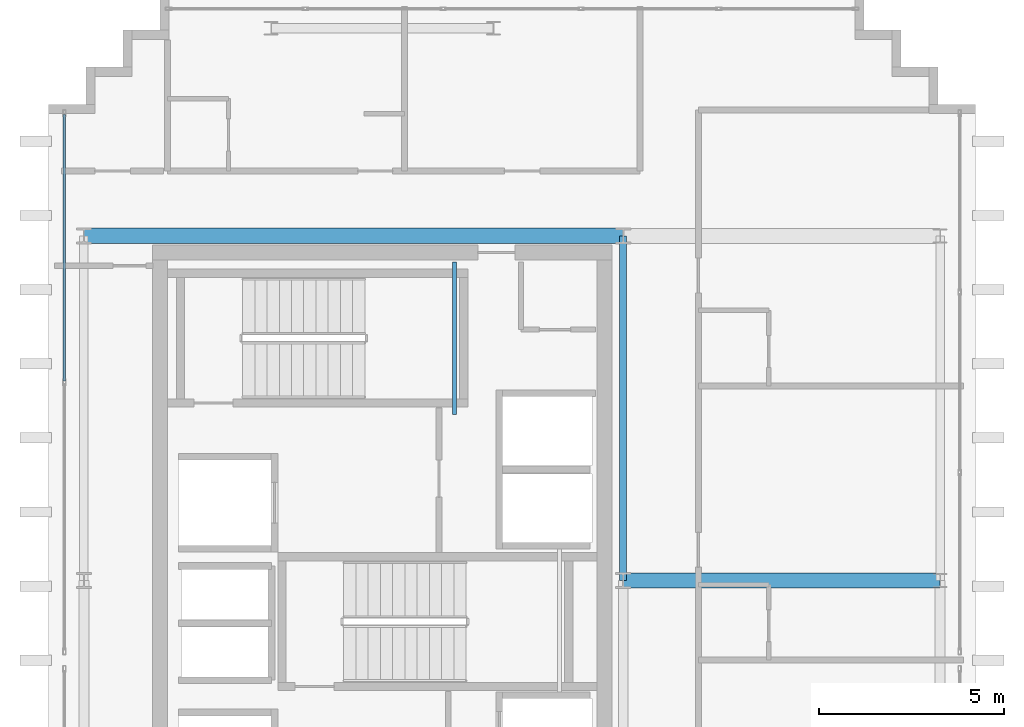
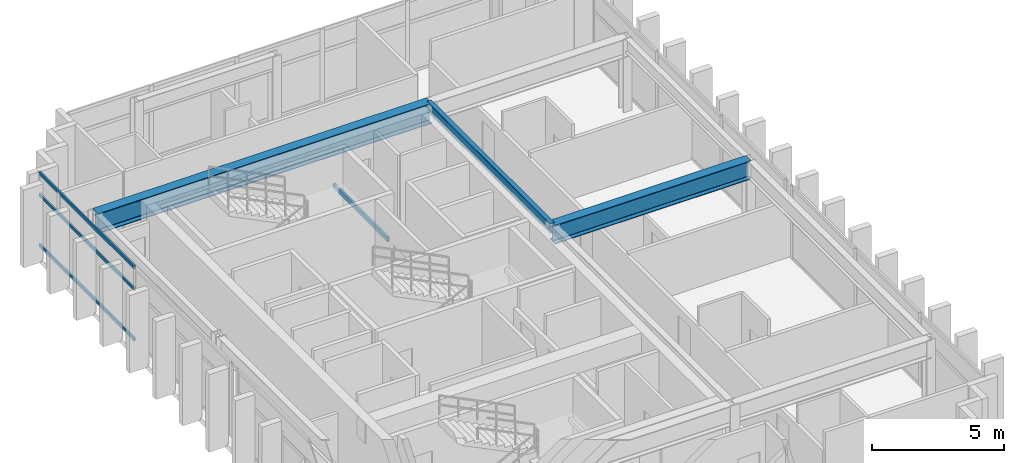
# One storey, part 7 of 15: 4 beams, 3 members, 1 element without a shape of its own.
"""IFC4 building model written with IfcOpenShell, lengths in metres."""

import ifcopenshell
import ifcopenshell.guid

model = None  # the IFC model being written
_history = None  # IfcOwnerHistory: only IFC2X3 demands one
_inside = {}  # id of a spatial element -> (the spatial element, [elements in it])
_under = {}  # id of a project, library or spatial element -> (it, [spatial elements below it])
_declared = {}  # id of a project -> (the project, [libraries it declares])
_typed = {}  # id of a type object -> (the type object, [elements of that type])
_made_of = {}  # id of a material, layer set ... -> (it, [elements and type objects made of it])


def new_model(schema):
    """Start an empty IFC model of exactly this schema.

    Asked for "IFC4X3", IfcOpenShell would pick the latest addendum, in which some entities
    have other attributes; the version numbers below select the first issue.
    IFC2X3 requires an IfcOwnerHistory on every rooted entity: one is made here for all.
    """
    global model, _history
    if schema == "IFC4X3":
        model = ifcopenshell.file(schema_version=(4, 3, 0, 0))
    else:
        model = ifcopenshell.file(schema=schema)
    _inside.clear()
    _under.clear()
    _declared.clear()
    _typed.clear()
    _made_of.clear()
    _history = None
    if model.schema == "IFC2X3":
        org = make("IfcOrganization", Name="unknown")
        user = make(
            "IfcPersonAndOrganization",
            ThePerson=make("IfcPerson", FamilyName="unknown"),
            TheOrganization=org,
        )
        app = make(
            "IfcApplication",
            ApplicationDeveloper=org,
            Version="unknown",
            ApplicationFullName="unknown",
            ApplicationIdentifier="unknown",
        )
        _history = make(
            "IfcOwnerHistory",
            OwningUser=user,
            OwningApplication=app,
            ChangeAction="ADDED",
            CreationDate=0,
        )
    return model


def make(cls, **values):
    """One entity of the class cls with the attributes given. An attribute that is None is left unset."""
    return model.create_entity(
        cls, **{name: value for name, value in values.items() if value is not None}
    )


def rooted(cls, **values):
    """An entity with a GlobalId (a new one), such as an element, a storey or a relation."""
    return make(cls, GlobalId=ifcopenshell.guid.new(), OwnerHistory=_history, **values)


def si_unit(unit_type, name, prefix=None):
    """IfcSIUnit, for example si_unit("LENGTHUNIT", "METRE", prefix="MILLI")."""
    return make("IfcSIUnit", UnitType=unit_type, Prefix=prefix, Name=name)


def assignment(units):
    """IfcUnitAssignment: the units of a project."""
    return None if units is None else make("IfcUnitAssignment", Units=units)


def point(xyz):
    """IfcCartesianPoint."""
    return None if xyz is None else make("IfcCartesianPoint", Coordinates=xyz)


def direction(xyz):
    """IfcDirection."""
    return None if xyz is None else make("IfcDirection", DirectionRatios=xyz)


def frame(location, z_axis=None, x_axis=None):
    """IfcAxis2Placement3D, a coordinate frame: its origin and axes. An axis left out is left unset."""
    return make(
        "IfcAxis2Placement3D",
        Location=point(location),
        Axis=direction(z_axis),
        RefDirection=direction(x_axis),
    )


def frame_2d(location, x_axis=None):
    """IfcAxis2Placement2D, a coordinate frame in the plane: its origin and x axis."""
    return make(
        "IfcAxis2Placement2D", Location=point(location), RefDirection=direction(x_axis)
    )


def origin():
    """The frame at (0, 0, 0) with its axes left unset."""
    return frame((0.0, 0.0, 0.0))


def origin_2d():
    """The frame at (0, 0) in the plane with its x axis left unset."""
    return frame_2d((0.0, 0.0))


def place(relative_to, where):
    """IfcLocalPlacement: puts the frame where relative to a parent placement (None: the world)."""
    return make(
        "IfcLocalPlacement", PlacementRelTo=relative_to, RelativePlacement=where
    )


def context(
    kind, dimensions, precision=None, world=None, true_north=None, identifier=None
):
    """IfcGeometricRepresentationContext, for example the 3D "Model" context."""
    return make(
        "IfcGeometricRepresentationContext",
        ContextIdentifier=identifier,
        ContextType=kind,
        CoordinateSpaceDimension=dimensions,
        Precision=precision,
        WorldCoordinateSystem=world,
        TrueNorth=true_north,
    )


def subcontext(parent, identifier, kind, view, scale=None):
    """IfcGeometricRepresentationSubContext, for example "Body" below "Model"."""
    return make(
        "IfcGeometricRepresentationSubContext",
        ContextIdentifier=identifier,
        ContextType=kind,
        ParentContext=parent,
        TargetScale=scale,
        TargetView=view,
    )


def project(units=None, contexts=None):
    """IfcProject with its units and contexts."""
    return rooted(
        "IfcProject",
        Name="project",
        RepresentationContexts=contexts,
        UnitsInContext=assignment(units),
    )


def spatial(cls, under=None, at=None, **own):
    """A site, building, storey or space (cls), placed at a placement, below another one or the project."""
    s = rooted(cls, ObjectPlacement=at, **own)
    if under is not None:
        _under.setdefault(under.id(), (under, []))[1].append(s)
    return s


def profile(cls, at=None, kind="AREA", **sizes):
    """A parametric profile (cls). Its sizes go by their IFC names, for example OverallWidth=200.0."""
    return make(cls, ProfileType=kind, Position=at, **sizes)


def hollow_rectangle(**sizes):
    """IfcRectangleHollowProfileDef."""
    return profile("IfcRectangleHollowProfileDef", **sizes)


def i_section(**sizes):
    """IfcIShapeProfileDef."""
    return profile("IfcIShapeProfileDef", **sizes)


def extrude(swept, where, along, depth):
    """IfcExtrudedAreaSolid: the profile swept, set in the frame where, extruded along a direction by depth."""
    return make(
        "IfcExtrudedAreaSolid",
        SweptArea=swept,
        Position=where,
        ExtrudedDirection=direction(along),
        Depth=depth,
    )


def shape(context_of_items, identifier, shape_type, items):
    """IfcShapeRepresentation: the items that make up one representation, for example the "Body"."""
    return make(
        "IfcShapeRepresentation",
        ContextOfItems=context_of_items,
        RepresentationIdentifier=identifier,
        RepresentationType=shape_type,
        Items=items,
    )


def source(mapping_origin, context_of_items, identifier, shape_type, items):
    """IfcRepresentationMap: a shape defined once, which mapped items show again and again."""
    return make(
        "IfcRepresentationMap",
        MappingOrigin=mapping_origin,
        MappedRepresentation=shape(context_of_items, identifier, shape_type, items),
    )


def transform(
    local_origin,
    x_axis=None,
    y_axis=None,
    z_axis=None,
    scale=None,
    scale2=None,
    scale3=None,
    uniform=True,
):
    """IfcCartesianTransformationOperator3D, or its non-uniform kind. x_axis, y_axis, z_axis: its Axis1, 2, 3."""
    if uniform:
        return make(
            "IfcCartesianTransformationOperator3D",
            Axis1=direction(x_axis),
            Axis2=direction(y_axis),
            LocalOrigin=point(local_origin),
            Scale=scale,
            Axis3=direction(z_axis),
        )
    return make(
        "IfcCartesianTransformationOperator3DnonUniform",
        Axis1=direction(x_axis),
        Axis2=direction(y_axis),
        LocalOrigin=point(local_origin),
        Scale=scale,
        Axis3=direction(z_axis),
        Scale2=scale2,
        Scale3=scale3,
    )


def mapped(mapping_source, mapping_target):
    """IfcMappedItem: shows the shape of a source again, moved by a transform."""
    return make(
        "IfcMappedItem", MappingSource=mapping_source, MappingTarget=mapping_target
    )


def material(Name=None, Category=None):
    """IfcMaterial."""
    return make("IfcMaterial", Name=Name, Category=Category)


def layer(
    of_material, thickness, ventilated=None, Name=None, Category=None, Priority=None
):
    """IfcMaterialLayer: one layer of a wall or slab, of a material (None: an air gap)."""
    return make(
        "IfcMaterialLayer",
        Material=of_material,
        LayerThickness=thickness,
        IsVentilated=ventilated,
        Name=Name,
        Category=Category,
        Priority=Priority,
    )


def layer_set(layers, Name=None):
    """IfcMaterialLayerSet."""
    return make("IfcMaterialLayerSet", MaterialLayers=layers, LayerSetName=Name)


def material_profile(
    of_material, cross_section, Name=None, Category=None, Priority=None
):
    """IfcMaterialProfile: a cross section and its material."""
    return make(
        "IfcMaterialProfile",
        Name=Name,
        Material=of_material,
        Profile=cross_section,
        Priority=Priority,
        Category=Category,
    )


def profile_set(profiles, Name=None, composite=None):
    """IfcMaterialProfileSet."""
    return make(
        "IfcMaterialProfileSet",
        Name=Name,
        MaterialProfiles=profiles,
        CompositeProfile=composite,
    )


def made_of(thing, what):
    """Note that an element or type object is made of a material, layer set ...; save() writes the relation."""
    if what is not None:
        _made_of.setdefault(what.id(), (what, []))[1].append(thing)
    return thing


def type_object(cls, material=None, **own):
    """A type object (cls), such as IfcWallType, which elements share."""
    return made_of(rooted(cls, **own), material)


def element(
    cls,
    number,
    at=None,
    inside=None,
    cuts=None,
    type_object=None,
    material=None,
    context=None,
    identifier="Body",
    shape_type=None,
    held_by="IfcProductDefinitionShape",
    body=None,
    shapes=None,
    **own,
):
    """One element of the class cls, such as IfcWall. Its Tag is "e" and its number.

    at: its placement. inside: the storey or other place that contains it. cuts: it is an
    opening in that element (IfcRelVoidsElement). A single representation is given by context,
    identifier, shape_type and body (its items); several are given by shapes. held_by: the class
    of the entity that holds the representations. save() writes the other relations.
    """
    e = rooted(cls, Tag="e%d" % number, ObjectPlacement=at, **own)
    if body is not None:
        shapes = [shape(context, identifier, shape_type, body)]
    if shapes is not None:
        e.Representation = make(held_by, Representations=shapes)
    if inside is not None:
        _inside.setdefault(inside.id(), (inside, []))[1].append(e)
    if cuts is not None:
        rooted(
            "IfcRelVoidsElement", RelatingBuildingElement=cuts, RelatedOpeningElement=e
        )
    if type_object is not None:
        _typed.setdefault(type_object.id(), (type_object, []))[1].append(e)
    return made_of(e, material)


def aggregate(whole, parts):
    """IfcRelAggregates: a whole, such as a stair, and the parts it consists of."""
    return rooted("IfcRelAggregates", RelatingObject=whole, RelatedObjects=parts)


def save(model, path):
    """Write the relations noted so far, then the file.

    IfcRelAggregates (storeys below a building ...), IfcRelContainedInSpatialStructure (elements
    in a storey), IfcRelDefinesByType, IfcRelAssociatesMaterial and IfcRelDeclares: one each for
    every whole, place, type object, material and project.
    """
    for whole, parts in _under.values():
        aggregate(whole, parts)
    for where, things in _inside.values():
        rooted(
            "IfcRelContainedInSpatialStructure",
            RelatedElements=things,
            RelatingStructure=where,
        )
    for kind, things in _typed.values():
        rooted("IfcRelDefinesByType", RelatedObjects=things, RelatingType=kind)
    for what, things in _made_of.values():
        rooted("IfcRelAssociatesMaterial", RelatedObjects=things, RelatingMaterial=what)
    for by, libraries in _declared.values():
        rooted("IfcRelDeclares", RelatingContext=by, RelatedDefinitions=libraries)
    model.write(path)


model = new_model("IFC4")

# Units and contexts
model_context = context("Model", 3, precision=1e-05, world=origin(), true_north=direction((0.0, 1.0)))
body_context = subcontext(model_context, "Body", "Model", "MODEL_VIEW")
ifc_project = project(units=[si_unit("LENGTHUNIT", "METRE"), si_unit("AREAUNIT", "SQUARE_METRE"), si_unit("VOLUMEUNIT", "CUBIC_METRE"), si_unit("PLANEANGLEUNIT", "RADIAN"), si_unit("MASSUNIT", "GRAM", prefix="KILO")], contexts=[model_context])

# Site, building, storey
site_placement = place(None, origin())
site = spatial("IfcSite", under=ifc_project, at=site_placement, CompositionType="ELEMENT")
building_placement = place(site_placement, origin())
building = spatial("IfcBuilding", under=site, at=building_placement, Name="Ocotamira Hotel", CompositionType="ELEMENT")
storey_placement = place(building_placement, frame((0.0, 0.0, 283.199951171875)))
storey = spatial("IfcBuildingStorey", under=building, at=storey_placement, Name="L72", CompositionType="ELEMENT", Elevation=283.199951171875)

# Beams
ifc_material_1 = material(Name="Steel ASTM A500 Grade C", Category="steel")
ifc_material_profile_1 = material_profile(ifc_material_1, hollow_rectangle(XDim=0.10009765625, YDim=0.199951171875, WallThickness=0.008056640625, at=origin_2d()), Name="HSS200X100X8")
ifc_profile_set_1 = profile_set([ifc_material_profile_1], Name="Steel ASTM A500 Grade C")
beam_type_1 = type_object("IfcBeamType", Name="BM-STLDG-HSS200", PredefinedType="BEAM", material=ifc_profile_set_1)
shared_shape_1 = source(origin(), body_context, "Body", "SweptSolid", [
    extrude(hollow_rectangle(XDim=0.10009765625, YDim=0.199951171875, WallThickness=0.008056640625, at=origin_2d()), origin(), (0.0, 0.0, 1.0), 4.1201171875),
])
beam_1_placement = place(storey_placement, frame((18.949951171875, 32.6298828125, 1.5), z_axis=(0.0, 1.0, 0.0), x_axis=(-1.0, 0.0, 0.0)))
element("IfcBeam", 1, at=beam_1_placement, inside=storey, type_object=beam_type_1, Name="L72 Stair ST-2 Landing Bearer 1", PredefinedType="BEAM", context=body_context, shape_type="MappedRepresentation", body=[
    mapped(shared_shape_1, transform((0.0, 0.0, 0.0), scale=1.0)),
])
ifc_material_2 = material(Name="Steel ASTM A992 Grade 50", Category="steel")
ifc_material_profile_2 = material_profile(ifc_material_2, i_section(OverallWidth=0.41796875, OverallDepth=0.927001953125, WebThickness=0.019287109375, FlangeThickness=0.031982421875, FilletRadius=0.02392578125, at=origin_2d()), Name="W36X231")
ifc_profile_set_2 = profile_set([ifc_material_profile_2], Name="Steel ASTM A992 Grade 50")
beam_type_2 = type_object("IfcBeamType", Name="BM-GIRD-W36X231", PredefinedType="BEAM", material=ifc_profile_set_2)
shared_shape_2 = source(origin(), body_context, "Body", "SweptSolid", [
    extrude(i_section(OverallWidth=0.41796875, OverallDepth=0.927001953125, WebThickness=0.019287109375, FlangeThickness=0.031982421875, FilletRadius=0.02392578125, at=origin_2d()), origin(), (0.0, 0.0, 1.0), 14.550048828125),
])
beam_2_placement = place(storey_placement, frame((8.949951171875, 37.449951171875, 2.91650390625), z_axis=(1.0, 0.0, 0.0), x_axis=(0.0, 1.0, 0.0)))
element("IfcBeam", 2, at=beam_2_placement, inside=storey, type_object=beam_type_2, Name="L72 Girder Y37.45 X8.95-23.5", PredefinedType="BEAM", context=body_context, shape_type="MappedRepresentation", body=[
    mapped(shared_shape_2, transform((0.0, 0.0, 0.0), scale=1.0)),
])
ifc_material_profile_3 = material_profile(ifc_material_2, i_section(OverallWidth=0.18994140625, OverallDepth=0.45703125, WebThickness=0.009033203125, FlangeThickness=0.014404296875, FilletRadius=0.010009765625, at=origin_2d()), Name="W18X50")
ifc_profile_set_3 = profile_set([ifc_material_profile_3], Name="Steel ASTM A992 Grade 50")
beam_type_3 = type_object("IfcBeamType", Name="BM-SEC-W18X50", PredefinedType="JOIST", material=ifc_profile_set_3)
shared_shape_3 = source(origin(), body_context, "Body", "SweptSolid", [
    extrude(i_section(OverallWidth=0.18994140625, OverallDepth=0.45703125, WebThickness=0.009033203125, FlangeThickness=0.014404296875, FilletRadius=0.010009765625, at=origin_2d()), origin(), (0.0, 0.0, 1.0), 9.300048828125),
])
beam_3_placement = place(storey_placement, frame((23.5, 28.14990234375, 3.151611328125), z_axis=(0.0, 1.0, 0.0), x_axis=(-1.0, 0.0, 0.0)))
element("IfcBeam", 3, at=beam_3_placement, inside=storey, type_object=beam_type_3, Name="L72 Beam X23.5 Y28.15-37.45", PredefinedType="JOIST", context=body_context, shape_type="MappedRepresentation", body=[
    mapped(shared_shape_3, transform((0.0, 0.0, 0.0), scale=1.0)),
])
ifc_material_profile_4 = material_profile(ifc_material_2, i_section(OverallWidth=0.39990234375, OverallDepth=0.85595703125, WebThickness=0.018310546875, FlangeThickness=0.029296875, FilletRadius=0.02001953125, at=origin_2d()), Name="W33X201")
ifc_profile_set_4 = profile_set([ifc_material_profile_4], Name="Steel ASTM A992 Grade 50")
beam_type_4 = type_object("IfcBeamType", Name="BM-GIRD-W33X201", PredefinedType="BEAM", material=ifc_profile_set_4)
shared_shape_4 = source(origin(), body_context, "Body", "SweptSolid", [
    extrude(i_section(OverallWidth=0.39990234375, OverallDepth=0.85595703125, WebThickness=0.018310546875, FlangeThickness=0.029296875, FilletRadius=0.02001953125, at=origin_2d()), origin(), (0.0, 0.0, 1.0), 8.550048828125),
])
beam_4_placement = place(storey_placement, frame((23.5, 28.14990234375, 2.9521484375), z_axis=(1.0, 0.0, 0.0), x_axis=(0.0, 1.0, 0.0)))
element("IfcBeam", 4, at=beam_4_placement, inside=storey, type_object=beam_type_4, Name="L72 Girder Y28.15 X23.5-32.05", PredefinedType="BEAM", context=body_context, shape_type="MappedRepresentation", body=[
    mapped(shared_shape_4, transform((0.0, 0.0, 0.0), scale=1.0)),
])

# Curtain wall, members
ifc_material_3 = material(Name="Anodised pale-metal aluminium and solar glass", Category="aluminium")
ifc_layer = layer(ifc_material_3, 0.2099609375)
ifc_layer_set = layer_set([ifc_layer], Name="Anodised pale-metal aluminium and solar glass")
curtain_wall_type = type_object("IfcCurtainWallType", Name="CW-SYS7-PEAK", PredefinedType="NOTDEFINED", material=ifc_layer_set)
curtain_wall_placement = place(storey_placement, origin())
curtain_wall = element("IfcCurtainWall", 5, at=curtain_wall_placement, inside=storey, type_object=curtain_wall_type, Name="L72 Curtain Wall CW-7 CW-L72-W2", PredefinedType="NOTDEFINED")
ifc_material_4 = material(Name="Anodised pale-metal aluminium 6063-T6", Category="aluminium")
ifc_material_profile_5 = material_profile(ifc_material_4, hollow_rectangle(XDim=0.074951171875, YDim=0.14990234375, WallThickness=0.006103515625, at=origin_2d()), Name="HSS150X75X6")
ifc_profile_set_5 = profile_set([ifc_material_profile_5], Name="Anodised pale-metal aluminium 6063-T6")
member_type = type_object("IfcMemberType", Name="CWT-150X75", PredefinedType="USERDEFINED", material=ifc_profile_set_5)
shared_shape_5 = source(origin(), body_context, "Body", "SweptSolid", [
    extrude(hollow_rectangle(XDim=0.074951171875, YDim=0.14990234375, WallThickness=0.006103515625, at=origin_2d()), origin(), (0.0, 0.0, 1.0), 7.179931640625),
])
member_1_placement = place(storey_placement, frame((8.419921875, 33.5400390625, 0.03759765625), z_axis=(0.0, 1.0, 0.0), x_axis=(-1.0, 0.0, 0.0)))
member_1 = element("IfcMember", 6, at=member_1_placement, type_object=member_type, Name="CW-7 transom 2.1", ObjectType="TRANSOM", PredefinedType="USERDEFINED", context=body_context, shape_type="MappedRepresentation", body=[
    mapped(shared_shape_5, transform((0.0, 0.0, 0.0), scale=1.0)),
])
member_2_placement = place(storey_placement, frame((8.419921875, 33.5400390625, 2.35009765625), z_axis=(0.0, 1.0, 0.0), x_axis=(-1.0, 0.0, 0.0)))
member_2 = element("IfcMember", 7, at=member_2_placement, type_object=member_type, Name="CW-7 transom 2.2", ObjectType="TRANSOM", PredefinedType="USERDEFINED", context=body_context, shape_type="MappedRepresentation", body=[
    mapped(shared_shape_5, transform((0.0, 0.0, 0.0), scale=1.0)),
])
member_3_placement = place(storey_placement, frame((8.419921875, 33.5400390625, 3.342529296875), z_axis=(0.0, 1.0, 0.0), x_axis=(-1.0, 0.0, 0.0)))
member_3 = element("IfcMember", 8, at=member_3_placement, type_object=member_type, Name="CW-7 transom 2.3", ObjectType="TRANSOM", PredefinedType="USERDEFINED", context=body_context, shape_type="MappedRepresentation", body=[
    mapped(shared_shape_5, transform((0.0, 0.0, 0.0), scale=1.0)),
])
aggregate(curtain_wall, [member_1, member_2, member_3])

save(model, "model.ifc")
